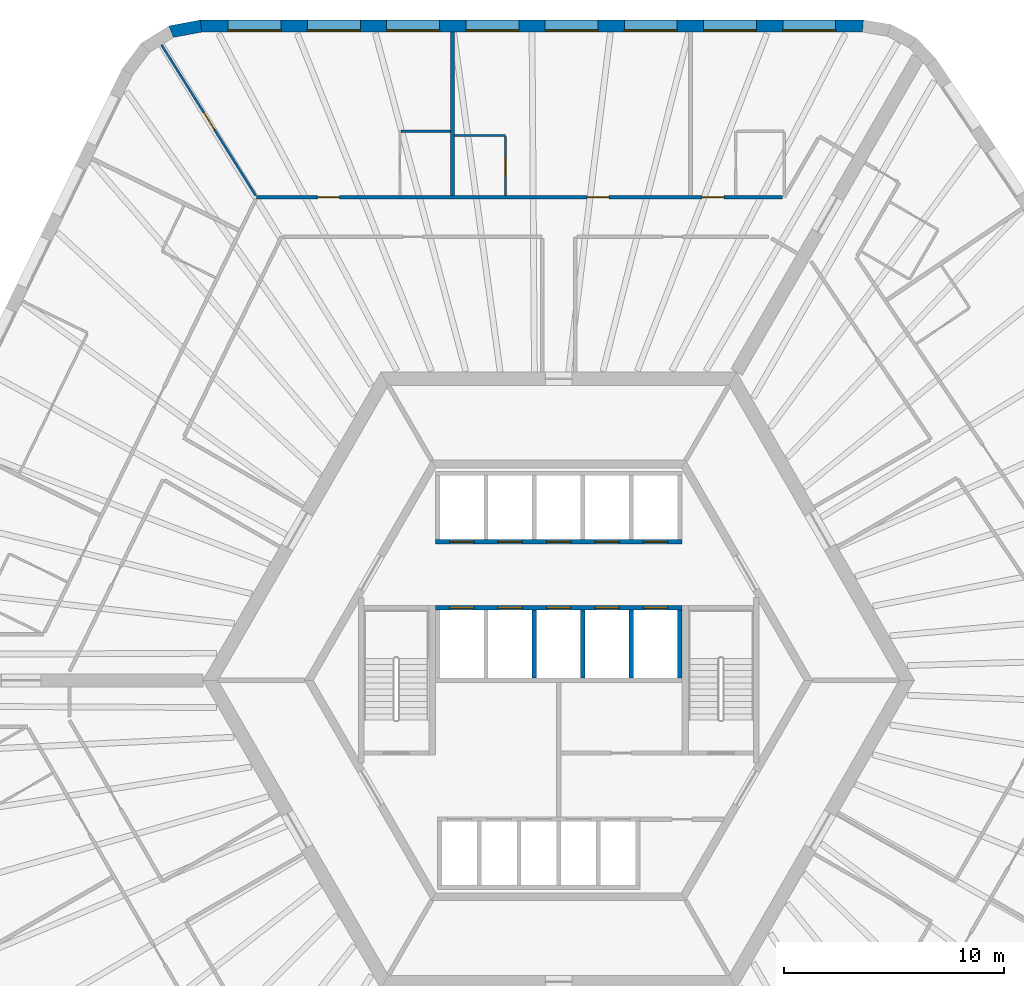
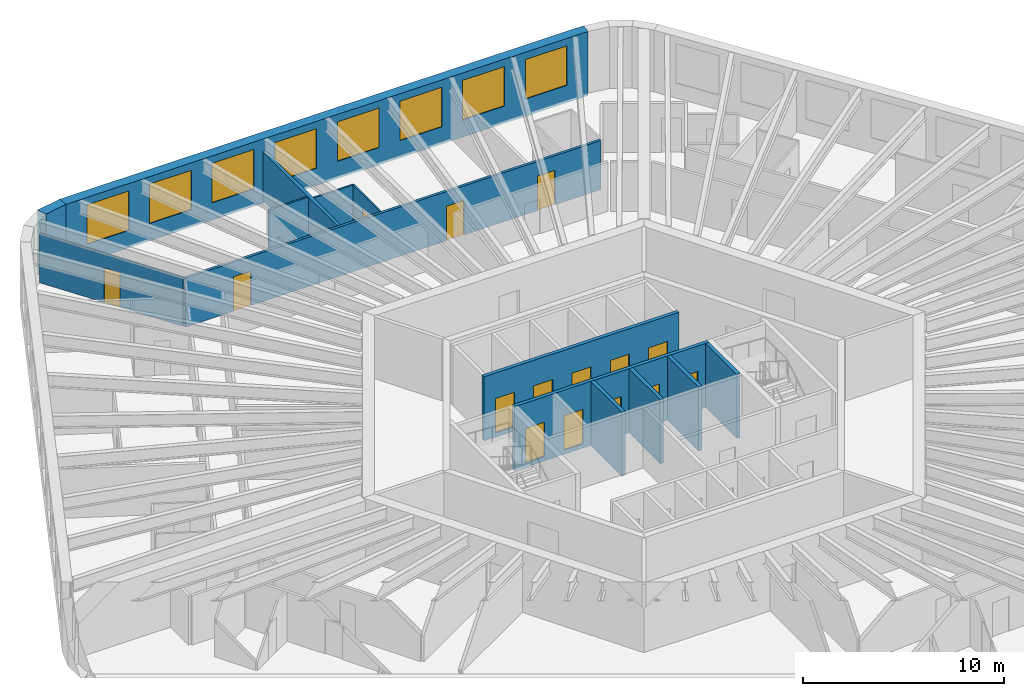
# One storey, part 8 of 11: 15 doors, 14 walls, 8 windows, 23 openings.
"""IFC4 building model written with IfcOpenShell, lengths in metres."""

from ifc_helpers import new_model, si_unit, direction, frame, frame_2d, origin, place, context, subcontext, project, spatial, polyline, rectangle, outline, extrude, material, layer, layer_set, type_object, element, fill, save


model = new_model("IFC4")

# Units and contexts
model_context = context("Model", 3, precision=1e-05, world=origin(), true_north=direction((0.0, 1.0)))
body_context = subcontext(model_context, "Body", "Model", "MODEL_VIEW")
ifc_project = project(units=[si_unit("LENGTHUNIT", "METRE"), si_unit("AREAUNIT", "SQUARE_METRE"), si_unit("VOLUMEUNIT", "CUBIC_METRE"), si_unit("PLANEANGLEUNIT", "RADIAN"), si_unit("MASSUNIT", "GRAM", prefix="KILO")], contexts=[model_context])

# Site, building, storey
site_placement = place(None, origin())
site = spatial("IfcSite", under=ifc_project, at=site_placement, CompositionType="ELEMENT")
building_placement = place(site_placement, origin())
building = spatial("IfcBuilding", under=site, at=building_placement, Name="Tarnside Tower", CompositionType="ELEMENT")
storey_placement = place(building_placement, frame((0.0, 0.0, 45.300048828125)))
storey = spatial("IfcBuildingStorey", under=building, at=storey_placement, Name="L08", CompositionType="ELEMENT", Elevation=45.300048828125)

# Wall
ifc_material_1 = material(Name="Gypsum board partition on steel studs", Category="steel")
ifc_layer_1 = layer(ifc_material_1, 0.10009765625)
ifc_layer_set_1 = layer_set([ifc_layer_1], Name="Bathroom wall 100")
wall_type_1 = type_object("IfcWallType", Name="Bathroom wall 100", PredefinedType="PARTITIONING", material=ifc_layer_set_1)
wall_1_placement = place(storey_placement, frame((-4.720947265625, 24.75, 0.0), z_axis=(0.0, 0.0, 1.0), x_axis=(1.0, 0.0, 0.0)))
element("IfcWall", 1, at=wall_1_placement, inside=storey, type_object=wall_type_1, Name="Bathroom wall 01081", PredefinedType="PARTITIONING", context=body_context, shape_type="SweptSolid", body=[
    extrude(rectangle(XDim=2.309814453125, YDim=0.10009765625, at=frame_2d((1.15478515625, 0.0))), origin(), (0.0, 0.0, 1.0), 2.98779296875),
])

# Wall, opening, door
wall_2_placement = place(storey_placement, frame((-2.4111328125, 24.699951171875, 0.0), z_axis=(0.0, 0.0, 1.0), x_axis=(0.0, -1.0, 0.0)))
wall_2 = element("IfcWall", 2, at=wall_2_placement, inside=storey, type_object=wall_type_1, Name="Bathroom wall 01082", PredefinedType="PARTITIONING", context=body_context, shape_type="SweptSolid", body=[
    extrude(rectangle(XDim=2.675048828125, YDim=0.10009765625, at=frame_2d((1.33740234375, 0.0))), origin(), (0.0, 0.0, 1.0), 2.98779296875),
])
opening_1_placement = place(wall_2_placement, frame((0.949951171875, 0.0, 0.0)))
opening_1 = element("IfcOpeningElement", 3, at=opening_1_placement, cuts=wall_2, Name="Opening D-B1", PredefinedType="OPENING", context=body_context, shape_type="SweptSolid", body=[
    extrude(rectangle(XDim=0.800048828125, YDim=2.10009765625, at=frame_2d((0.39990234375, 1.050048828125))), frame((0.0, 0.06005859375, 0.0), z_axis=(0.0, -1.0, 0.0), x_axis=(1.0, 0.0, 0.0)), (0.0, 0.0, 1.0), 0.1201171875),
])
ifc_material_2 = material(Name="Timber door leaf", Category="wood")
door_type_1 = type_object("IfcDoorType", Name="Bathroom door 800", OperationType="NOTDEFINED", PredefinedType="DOOR", material=ifc_material_2)
door_1_placement = place(opening_1_placement, origin())
door_1 = element("IfcDoor", 4, at=door_1_placement, inside=storey, type_object=door_type_1, Name="Bathroom door 01004", OperationType="SINGLE_SWING_RIGHT", OverallHeight=2.10009765625, OverallWidth=0.800048828125, PredefinedType="DOOR", context=body_context, shape_type="SweptSolid", body=[
    extrude(rectangle(XDim=0.800048828125, YDim=2.10009765625, at=frame_2d((0.39990234375, 1.050048828125))), frame((0.0, 0.02490234375, 0.0), z_axis=(0.0, -1.0, 0.0), x_axis=(1.0, 0.0, 0.0)), (0.0, 0.0, 1.0), 0.050048828125),
])
fill(opening_1, door_1)

# Wall
wall_3_placement = place(storey_placement, frame((-7.1611328125, 24.949951171875, 0.0), z_axis=(0.0, 0.0, 1.0), x_axis=(1.0, 0.0, 0.0)))
element("IfcWall", 5, at=wall_3_placement, inside=storey, type_object=wall_type_1, Name="Bathroom wall 01087", PredefinedType="PARTITIONING", context=body_context, shape_type="SweptSolid", body=[
    extrude(rectangle(XDim=2.260009765625, YDim=0.10009765625, at=frame_2d((1.1298828125, 0.0))), origin(), (0.0, 0.0, 1.0), 2.98779296875),
])

# Wall, openings, doors
ifc_layer_2 = layer(ifc_material_1, 0.14990234375)
ifc_layer_set_2 = layer_set([ifc_layer_2], Name="Corridor wall 150 EI 60")
wall_type_2 = type_object("IfcWallType", Name="Corridor wall 150 EI 60", PredefinedType="PARTITIONING", material=ifc_layer_set_2)
wall_4_placement = place(storey_placement, frame((10.161376953125, 21.949951171875, 0.0), z_axis=(0.0, 0.0, 1.0), x_axis=(-1.0, 0.0, 0.0)))
wall_4 = element("IfcWall", 6, at=wall_4_placement, inside=storey, type_object=wall_type_2, Name="Corridor wall 01001", PredefinedType="PARTITIONING", context=body_context, shape_type="SweptSolid", body=[
    extrude(rectangle(XDim=23.877197265625, YDim=0.14990234375, at=frame_2d((11.9384765625, 0.0))), origin(), (0.0, 0.0, 1.0), 2.98779296875),
])
opening_2_placement = place(wall_4_placement, frame((2.642822265625, 0.0, 0.0)))
opening_2 = element("IfcOpeningElement", 7, at=opening_2_placement, cuts=wall_4, Name="Opening D-E1", PredefinedType="OPENING", context=body_context, shape_type="SweptSolid", body=[
    extrude(rectangle(XDim=1.0, YDim=2.10009765625, at=frame_2d((0.5, 1.050048828125))), frame((0.0, 0.0849609375, 0.0), z_axis=(0.0, -1.0, 0.0), x_axis=(1.0, 0.0, 0.0)), (0.0, 0.0, 1.0), 0.169921875),
])
opening_3_placement = place(wall_4_placement, frame((7.872314453125, 0.0, 0.0)))
opening_3 = element("IfcOpeningElement", 8, at=opening_3_placement, cuts=wall_4, Name="Opening D-E1", PredefinedType="OPENING", context=body_context, shape_type="SweptSolid", body=[
    extrude(rectangle(XDim=1.0, YDim=2.10009765625, at=frame_2d((0.5, 1.050048828125))), frame((0.0, 0.0849609375, 0.0), z_axis=(0.0, -1.0, 0.0), x_axis=(1.0, 0.0, 0.0)), (0.0, 0.0, 1.0), 0.169921875),
])
opening_4_placement = place(wall_4_placement, frame((20.124755859375, 0.0, 0.0)))
opening_4 = element("IfcOpeningElement", 9, at=opening_4_placement, cuts=wall_4, Name="Opening D-E1", PredefinedType="OPENING", context=body_context, shape_type="SweptSolid", body=[
    extrude(rectangle(XDim=1.0, YDim=2.10009765625, at=frame_2d((0.5, 1.050048828125))), frame((0.0, 0.0849609375, 0.0), z_axis=(0.0, -1.0, 0.0), x_axis=(1.0, 0.0, 0.0)), (0.0, 0.0, 1.0), 0.169921875),
])
door_type_2 = type_object("IfcDoorType", Name="Unit entrance door 1000 FD30S", OperationType="NOTDEFINED", PredefinedType="DOOR", material=ifc_material_2)
door_2_placement = place(opening_2_placement, origin())
door_2 = element("IfcDoor", 10, at=door_2_placement, inside=storey, type_object=door_type_2, Name="Unit door 01001", OperationType="SINGLE_SWING_RIGHT", OverallHeight=2.10009765625, OverallWidth=1.0, PredefinedType="DOOR", context=body_context, shape_type="SweptSolid", body=[
    extrude(rectangle(XDim=1.0, YDim=2.10009765625, at=frame_2d((0.5, 1.050048828125))), frame((0.0, 0.02490234375, 0.0), z_axis=(0.0, -1.0, 0.0), x_axis=(1.0, 0.0, 0.0)), (0.0, 0.0, 1.0), 0.050048828125),
])
fill(opening_2, door_2)
door_3_placement = place(opening_3_placement, origin())
door_3 = element("IfcDoor", 11, at=door_3_placement, inside=storey, type_object=door_type_2, Name="Unit door 01003", OperationType="SINGLE_SWING_LEFT", OverallHeight=2.10009765625, OverallWidth=1.0, PredefinedType="DOOR", context=body_context, shape_type="SweptSolid", body=[
    extrude(rectangle(XDim=1.0, YDim=2.10009765625, at=frame_2d((0.5, 1.050048828125))), frame((0.0, 0.02490234375, 0.0), z_axis=(0.0, -1.0, 0.0), x_axis=(1.0, 0.0, 0.0)), (0.0, 0.0, 1.0), 0.050048828125),
])
fill(opening_3, door_3)
door_4_placement = place(opening_4_placement, origin())
door_4 = element("IfcDoor", 12, at=door_4_placement, inside=storey, type_object=door_type_2, Name="Unit door 01005", OperationType="SINGLE_SWING_RIGHT", OverallHeight=2.10009765625, OverallWidth=1.0, PredefinedType="DOOR", context=body_context, shape_type="SweptSolid", body=[
    extrude(rectangle(XDim=1.0, YDim=2.10009765625, at=frame_2d((0.5, 1.050048828125))), frame((0.0, 0.02490234375, 0.0), z_axis=(0.0, -1.0, 0.0), x_axis=(1.0, 0.0, 0.0)), (0.0, 0.0, 1.0), 0.050048828125),
])
fill(opening_4, door_4)

# Wall
ifc_layer_3 = layer(ifc_material_1, 0.179931640625)
ifc_layer_set_3 = layer_set([ifc_layer_3], Name="Demising wall 180 EI 60")
wall_type_3 = type_object("IfcWallType", Name="Demising wall 180 EI 60", PredefinedType="PARTITIONING", material=ifc_layer_set_3)
wall_5_placement = place(storey_placement, frame((-4.81103515625, 29.449951171875, 0.0), z_axis=(0.0, 0.0, 1.0), x_axis=(0.0, -1.0, 0.0)))
element("IfcWall", 13, at=wall_5_placement, inside=storey, type_object=wall_type_3, Name="Demising wall 01083", PredefinedType="PARTITIONING", context=body_context, shape_type="SweptSolid", body=[
    extrude(rectangle(XDim=7.425048828125, YDim=0.179931640625, at=frame_2d((3.71240234375, 0.0))), origin(), (0.0, 0.0, 1.0), 2.98779296875),
])

# Wall, openings, doors
ifc_material_3 = material(Name="Concrete C40/50", Category="concrete")
ifc_layer_4 = layer(ifc_material_3, 0.199951171875)
ifc_layer_set_4 = layer_set([ifc_layer_4], Name="Lift shaft wall 200 C40/50")
wall_type_4 = type_object("IfcWallType", Name="Lift shaft wall 200 C40/50", PredefinedType="SHEAR", material=ifc_layer_set_4)
wall_6_placement = place(storey_placement, frame((-5.60009765625, 6.300048828125, -0.25), z_axis=(0.0, 0.0, 1.0), x_axis=(1.0, 0.0, 0.0)))
wall_6 = element("IfcWall", 14, at=wall_6_placement, inside=storey, type_object=wall_type_4, Name="L08 lift shaft front wall R1", PredefinedType="SHEAR", context=body_context, shape_type="SweptSolid", body=[
    extrude(rectangle(XDim=11.2001953125, YDim=0.199951171875, at=frame_2d((5.60009765625, 0.0))), origin(), (0.0, 0.0, 1.0), 3.89990234375),
])
opening_5_placement = place(wall_6_placement, frame((0.64990234375, 0.0, 0.25)))
opening_5 = element("IfcOpeningElement", 15, at=opening_5_placement, cuts=wall_6, Name="Opening LD", PredefinedType="OPENING", context=body_context, shape_type="SweptSolid", body=[
    extrude(rectangle(XDim=1.10009765625, YDim=2.10009765625, at=frame_2d((0.550048828125, 1.050048828125))), frame((0.0, 0.10986328125, 0.0), z_axis=(0.0, -1.0, 0.0), x_axis=(1.0, 0.0, 0.0)), (0.0, 0.0, 1.0), 0.219970703125),
])
opening_6_placement = place(wall_6_placement, frame((2.85009765625, 0.0, 0.25)))
opening_6 = element("IfcOpeningElement", 16, at=opening_6_placement, cuts=wall_6, Name="Opening LD", PredefinedType="OPENING", context=body_context, shape_type="SweptSolid", body=[
    extrude(rectangle(XDim=1.10009765625, YDim=2.10009765625, at=frame_2d((0.550048828125, 1.050048828125))), frame((0.0, 0.10986328125, 0.0), z_axis=(0.0, -1.0, 0.0), x_axis=(1.0, 0.0, 0.0)), (0.0, 0.0, 1.0), 0.219970703125),
])
opening_7_placement = place(wall_6_placement, frame((5.050048828125, 0.0, 0.25)))
opening_7 = element("IfcOpeningElement", 17, at=opening_7_placement, cuts=wall_6, Name="Opening LD", PredefinedType="OPENING", context=body_context, shape_type="SweptSolid", body=[
    extrude(rectangle(XDim=1.10009765625, YDim=2.10009765625, at=frame_2d((0.550048828125, 1.050048828125))), frame((0.0, 0.10986328125, 0.0), z_axis=(0.0, -1.0, 0.0), x_axis=(1.0, 0.0, 0.0)), (0.0, 0.0, 1.0), 0.219970703125),
])
opening_8_placement = place(wall_6_placement, frame((7.25, 0.0, 0.25)))
opening_8 = element("IfcOpeningElement", 18, at=opening_8_placement, cuts=wall_6, Name="Opening LD", PredefinedType="OPENING", context=body_context, shape_type="SweptSolid", body=[
    extrude(rectangle(XDim=1.10009765625, YDim=2.10009765625, at=frame_2d((0.550048828125, 1.050048828125))), frame((0.0, 0.10986328125, 0.0), z_axis=(0.0, -1.0, 0.0), x_axis=(1.0, 0.0, 0.0)), (0.0, 0.0, 1.0), 0.219970703125),
])
opening_9_placement = place(wall_6_placement, frame((9.449951171875, 0.0, 0.25)))
opening_9 = element("IfcOpeningElement", 19, at=opening_9_placement, cuts=wall_6, Name="Opening LD", PredefinedType="OPENING", context=body_context, shape_type="SweptSolid", body=[
    extrude(rectangle(XDim=1.10009765625, YDim=2.10009765625, at=frame_2d((0.550048828125, 1.050048828125))), frame((0.0, 0.10986328125, 0.0), z_axis=(0.0, -1.0, 0.0), x_axis=(1.0, 0.0, 0.0)), (0.0, 0.0, 1.0), 0.219970703125),
])
ifc_material_4 = material(Name="Stainless steel", Category="steel")
door_type_3 = type_object("IfcDoorType", Name="Lift landing door 1100x2100", OperationType="NOTDEFINED", PredefinedType="DOOR", material=ifc_material_4)
door_5_placement = place(opening_5_placement, origin())
door_5 = element("IfcDoor", 20, at=door_5_placement, inside=storey, type_object=door_type_3, Name="Low-rise lift 1 landing door L08", OperationType="SLIDING_TO_LEFT", OverallHeight=2.10009765625, OverallWidth=1.10009765625, PredefinedType="DOOR", context=body_context, shape_type="SweptSolid", body=[
    extrude(rectangle(XDim=1.10009765625, YDim=2.10009765625, at=frame_2d((0.550048828125, 1.050048828125))), frame((0.0, 0.02490234375, 0.0), z_axis=(0.0, -1.0, 0.0), x_axis=(1.0, 0.0, 0.0)), (0.0, 0.0, 1.0), 0.050048828125),
])
fill(opening_5, door_5)
door_6_placement = place(opening_6_placement, origin())
door_6 = element("IfcDoor", 21, at=door_6_placement, inside=storey, type_object=door_type_3, Name="Low-rise lift 2 landing door L08", OperationType="SLIDING_TO_LEFT", OverallHeight=2.10009765625, OverallWidth=1.10009765625, PredefinedType="DOOR", context=body_context, shape_type="SweptSolid", body=[
    extrude(rectangle(XDim=1.10009765625, YDim=2.10009765625, at=frame_2d((0.550048828125, 1.050048828125))), frame((0.0, 0.02490234375, 0.0), z_axis=(0.0, -1.0, 0.0), x_axis=(1.0, 0.0, 0.0)), (0.0, 0.0, 1.0), 0.050048828125),
])
fill(opening_6, door_6)
door_7_placement = place(opening_7_placement, origin())
door_7 = element("IfcDoor", 22, at=door_7_placement, inside=storey, type_object=door_type_3, Name="Low-rise lift 3 landing door L08", OperationType="SLIDING_TO_LEFT", OverallHeight=2.10009765625, OverallWidth=1.10009765625, PredefinedType="DOOR", context=body_context, shape_type="SweptSolid", body=[
    extrude(rectangle(XDim=1.10009765625, YDim=2.10009765625, at=frame_2d((0.550048828125, 1.050048828125))), frame((0.0, 0.02490234375, 0.0), z_axis=(0.0, -1.0, 0.0), x_axis=(1.0, 0.0, 0.0)), (0.0, 0.0, 1.0), 0.050048828125),
])
fill(opening_7, door_7)
door_8_placement = place(opening_8_placement, origin())
door_8 = element("IfcDoor", 23, at=door_8_placement, inside=storey, type_object=door_type_3, Name="Low sky-lobby shuttle 1 landing door L08", OperationType="SLIDING_TO_LEFT", OverallHeight=2.10009765625, OverallWidth=1.10009765625, PredefinedType="DOOR", context=body_context, shape_type="SweptSolid", body=[
    extrude(rectangle(XDim=1.10009765625, YDim=2.10009765625, at=frame_2d((0.550048828125, 1.050048828125))), frame((0.0, 0.02490234375, 0.0), z_axis=(0.0, -1.0, 0.0), x_axis=(1.0, 0.0, 0.0)), (0.0, 0.0, 1.0), 0.050048828125),
])
fill(opening_8, door_8)
door_9_placement = place(opening_9_placement, origin())
door_9 = element("IfcDoor", 24, at=door_9_placement, inside=storey, type_object=door_type_3, Name="Low sky-lobby shuttle 2 landing door L08", OperationType="SLIDING_TO_LEFT", OverallHeight=2.10009765625, OverallWidth=1.10009765625, PredefinedType="DOOR", context=body_context, shape_type="SweptSolid", body=[
    extrude(rectangle(XDim=1.10009765625, YDim=2.10009765625, at=frame_2d((0.550048828125, 1.050048828125))), frame((0.0, 0.02490234375, 0.0), z_axis=(0.0, -1.0, 0.0), x_axis=(1.0, 0.0, 0.0)), (0.0, 0.0, 1.0), 0.050048828125),
])
fill(opening_9, door_9)

wall_7_placement = place(storey_placement, frame((-5.60009765625, 3.300048828125, -0.25), z_axis=(0.0, 0.0, 1.0), x_axis=(1.0, 0.0, 0.0)))
wall_7 = element("IfcWall", 25, at=wall_7_placement, inside=storey, type_object=wall_type_4, Name="L08 lift shaft front wall R2", PredefinedType="SHEAR", context=body_context, shape_type="SweptSolid", body=[
    extrude(rectangle(XDim=11.2001953125, YDim=0.199951171875, at=frame_2d((5.60009765625, 0.0))), origin(), (0.0, 0.0, 1.0), 3.89990234375),
])
opening_10_placement = place(wall_7_placement, frame((0.64990234375, 0.0, 0.25)))
opening_10 = element("IfcOpeningElement", 26, at=opening_10_placement, cuts=wall_7, Name="Opening LD", PredefinedType="OPENING", context=body_context, shape_type="SweptSolid", body=[
    extrude(rectangle(XDim=1.10009765625, YDim=2.10009765625, at=frame_2d((0.550048828125, 1.050048828125))), frame((0.0, 0.10986328125, 0.0), z_axis=(0.0, -1.0, 0.0), x_axis=(1.0, 0.0, 0.0)), (0.0, 0.0, 1.0), 0.219970703125),
])
opening_11_placement = place(wall_7_placement, frame((2.85009765625, 0.0, 0.25)))
opening_11 = element("IfcOpeningElement", 27, at=opening_11_placement, cuts=wall_7, Name="Opening LD", PredefinedType="OPENING", context=body_context, shape_type="SweptSolid", body=[
    extrude(rectangle(XDim=1.10009765625, YDim=2.10009765625, at=frame_2d((0.550048828125, 1.050048828125))), frame((0.0, 0.10986328125, 0.0), z_axis=(0.0, -1.0, 0.0), x_axis=(1.0, 0.0, 0.0)), (0.0, 0.0, 1.0), 0.219970703125),
])
opening_12_placement = place(wall_7_placement, frame((5.050048828125, 0.0, 0.25)))
opening_12 = element("IfcOpeningElement", 28, at=opening_12_placement, cuts=wall_7, Name="Opening LD", PredefinedType="OPENING", context=body_context, shape_type="SweptSolid", body=[
    extrude(rectangle(XDim=1.10009765625, YDim=2.10009765625, at=frame_2d((0.550048828125, 1.050048828125))), frame((0.0, 0.10986328125, 0.0), z_axis=(0.0, -1.0, 0.0), x_axis=(1.0, 0.0, 0.0)), (0.0, 0.0, 1.0), 0.219970703125),
])
opening_13_placement = place(wall_7_placement, frame((7.25, 0.0, 0.25)))
opening_13 = element("IfcOpeningElement", 29, at=opening_13_placement, cuts=wall_7, Name="Opening LD", PredefinedType="OPENING", context=body_context, shape_type="SweptSolid", body=[
    extrude(rectangle(XDim=1.10009765625, YDim=2.10009765625, at=frame_2d((0.550048828125, 1.050048828125))), frame((0.0, 0.10986328125, 0.0), z_axis=(0.0, -1.0, 0.0), x_axis=(1.0, 0.0, 0.0)), (0.0, 0.0, 1.0), 0.219970703125),
])
opening_14_placement = place(wall_7_placement, frame((9.449951171875, 0.0, 0.25)))
opening_14 = element("IfcOpeningElement", 30, at=opening_14_placement, cuts=wall_7, Name="Opening LD", PredefinedType="OPENING", context=body_context, shape_type="SweptSolid", body=[
    extrude(rectangle(XDim=1.10009765625, YDim=2.10009765625, at=frame_2d((0.550048828125, 1.050048828125))), frame((0.0, 0.10986328125, 0.0), z_axis=(0.0, -1.0, 0.0), x_axis=(1.0, 0.0, 0.0)), (0.0, 0.0, 1.0), 0.219970703125),
])
door_10_placement = place(opening_10_placement, origin())
door_10 = element("IfcDoor", 31, at=door_10_placement, inside=storey, type_object=door_type_3, Name="Low-rise lift 4 landing door L08", OperationType="SLIDING_TO_LEFT", OverallHeight=2.10009765625, OverallWidth=1.10009765625, PredefinedType="DOOR", context=body_context, shape_type="SweptSolid", body=[
    extrude(rectangle(XDim=1.10009765625, YDim=2.10009765625, at=frame_2d((0.550048828125, 1.050048828125))), frame((0.0, 0.02490234375, 0.0), z_axis=(0.0, -1.0, 0.0), x_axis=(1.0, 0.0, 0.0)), (0.0, 0.0, 1.0), 0.050048828125),
])
fill(opening_10, door_10)
door_11_placement = place(opening_11_placement, origin())
door_11 = element("IfcDoor", 32, at=door_11_placement, inside=storey, type_object=door_type_3, Name="Low-rise lift 5 landing door L08", OperationType="SLIDING_TO_LEFT", OverallHeight=2.10009765625, OverallWidth=1.10009765625, PredefinedType="DOOR", context=body_context, shape_type="SweptSolid", body=[
    extrude(rectangle(XDim=1.10009765625, YDim=2.10009765625, at=frame_2d((0.550048828125, 1.050048828125))), frame((0.0, 0.02490234375, 0.0), z_axis=(0.0, -1.0, 0.0), x_axis=(1.0, 0.0, 0.0)), (0.0, 0.0, 1.0), 0.050048828125),
])
fill(opening_11, door_11)
door_12_placement = place(opening_12_placement, origin())
door_12 = element("IfcDoor", 33, at=door_12_placement, inside=storey, type_object=door_type_3, Name="Low-rise lift 6 landing door L08", OperationType="SLIDING_TO_LEFT", OverallHeight=2.10009765625, OverallWidth=1.10009765625, PredefinedType="DOOR", context=body_context, shape_type="SweptSolid", body=[
    extrude(rectangle(XDim=1.10009765625, YDim=2.10009765625, at=frame_2d((0.550048828125, 1.050048828125))), frame((0.0, 0.02490234375, 0.0), z_axis=(0.0, -1.0, 0.0), x_axis=(1.0, 0.0, 0.0)), (0.0, 0.0, 1.0), 0.050048828125),
])
fill(opening_12, door_12)
door_13_placement = place(opening_13_placement, origin())
door_13 = element("IfcDoor", 34, at=door_13_placement, inside=storey, type_object=door_type_3, Name="High sky-lobby shuttle 1 landing door L08", OperationType="SLIDING_TO_LEFT", OverallHeight=2.10009765625, OverallWidth=1.10009765625, PredefinedType="DOOR", context=body_context, shape_type="SweptSolid", body=[
    extrude(rectangle(XDim=1.10009765625, YDim=2.10009765625, at=frame_2d((0.550048828125, 1.050048828125))), frame((0.0, 0.02490234375, 0.0), z_axis=(0.0, -1.0, 0.0), x_axis=(1.0, 0.0, 0.0)), (0.0, 0.0, 1.0), 0.050048828125),
])
fill(opening_13, door_13)
door_14_placement = place(opening_14_placement, origin())
door_14 = element("IfcDoor", 35, at=door_14_placement, inside=storey, type_object=door_type_3, Name="Express sky-lobby shuttle 2 landing door L08", OperationType="SLIDING_TO_LEFT", OverallHeight=2.10009765625, OverallWidth=1.10009765625, PredefinedType="DOOR", context=body_context, shape_type="SweptSolid", body=[
    extrude(rectangle(XDim=1.10009765625, YDim=2.10009765625, at=frame_2d((0.550048828125, 1.050048828125))), frame((0.0, 0.02490234375, 0.0), z_axis=(0.0, -1.0, 0.0), x_axis=(1.0, 0.0, 0.0)), (0.0, 0.0, 1.0), 0.050048828125),
])
fill(opening_14, door_14)

# Walls
for number, where, z_axis, x_axis, name in (
    (36, (-1.10009765625, 0.10009765625, -0.25), (0.0, 0.0, 1.0), (0.0, 1.0, 0.0), "L08 lift shaft partition R23"),
    (37, (1.10009765625, 0.10009765625, -0.25), (0.0, 0.0, 1.0), (0.0, 1.0, 0.0), "L08 lift shaft partition R24"),
    (38, (3.300048828125, 0.10009765625, -0.25), (0.0, 0.0, 1.0), (0.0, 1.0, 0.0), "L08 lift shaft partition R25"),
    (39, (5.5, 0.10009765625, -0.25), (0.0, 0.0, 1.0), (0.0, 1.0, 0.0), "L08 lift shaft partition R26"),
):
    element("IfcWall", number, at=place(storey_placement, frame(where, z_axis=z_axis, x_axis=x_axis)), inside=storey, type_object=wall_type_4, Name=name, PredefinedType="SHEAR", context=body_context, shape_type="SweptSolid", body=[
        extrude(rectangle(XDim=3.099853515625, YDim=0.199951171875, at=frame_2d((1.5498046875, 0.0))), origin(), (0.0, 0.0, 1.0), 3.89990234375),
    ])

# Wall, opening, door
ifc_layer_5 = layer(ifc_material_1, 0.10009765625)
ifc_layer_set_5 = layer_set([ifc_layer_5], Name="Partition 100")
wall_type_5 = type_object("IfcWallType", Name="Partition 100", PredefinedType="PARTITIONING", material=ifc_layer_set_5)
wall_8_placement = place(storey_placement, frame((-18.040771484375, 28.87109375, 0.0), z_axis=(0.0, 0.0, 1.0), x_axis=(0.529928260537, -0.848042474575, 0.0)))
wall_8 = element("IfcWall", 40, at=wall_8_placement, inside=storey, type_object=wall_type_5, Name="Partition wall 01088", PredefinedType="PARTITIONING", context=body_context, shape_type="SweptSolid", body=[
    extrude(rectangle(XDim=8.072998046875, YDim=0.10009765625, at=frame_2d((4.03662109375, 0.0))), origin(), (0.0, 0.0, 1.0), 2.98779296875),
])
opening_15_placement = place(wall_8_placement, frame((3.630615234375, 0.0, 0.0)))
opening_15 = element("IfcOpeningElement", 41, at=opening_15_placement, cuts=wall_8, Name="Opening D-I1", PredefinedType="OPENING", context=body_context, shape_type="SweptSolid", body=[
    extrude(rectangle(XDim=0.89990234375, YDim=2.10009765625, at=frame_2d((0.449951171875, 1.050048828125))), frame((0.0, 0.06005859375, 0.0), z_axis=(0.0, -1.0, 0.0), x_axis=(1.0, 0.0, 0.0)), (0.0, 0.0, 1.0), 0.1201171875),
])
door_type_4 = type_object("IfcDoorType", Name="Internal door 900", OperationType="NOTDEFINED", PredefinedType="DOOR", material=ifc_material_2)
door_15_placement = place(opening_15_placement, origin())
door_15 = element("IfcDoor", 42, at=door_15_placement, inside=storey, type_object=door_type_4, Name="Internal door 01007", OperationType="SINGLE_SWING_LEFT", OverallHeight=2.10009765625, OverallWidth=0.89990234375, PredefinedType="DOOR", context=body_context, shape_type="SweptSolid", body=[
    extrude(rectangle(XDim=0.89990234375, YDim=2.10009765625, at=frame_2d((0.449951171875, 1.050048828125))), frame((0.0, 0.02490234375, 0.0), z_axis=(0.0, -1.0, 0.0), x_axis=(1.0, 0.0, 0.0)), (0.0, 0.0, 1.0), 0.050048828125),
])
fill(opening_15, door_15)

# Wall, openings, windows
ifc_material_5 = material(Name="Facing brick", Category="masonry")
ifc_layer_6 = layer(ifc_material_5, 0.10205078125)
ifc_material_6 = material(Name="Concrete C60/75 precast", Category="concrete")
ifc_layer_7 = layer(ifc_material_6, 0.347900390625)
ifc_material_7 = material(Name="Mineral wool insulation")
ifc_layer_8 = layer(ifc_material_7, 0.10009765625)
ifc_layer_set_6 = layer_set([ifc_layer_6, ifc_layer_7, ifc_layer_8], Name="Tube wall 550 brick faced")
wall_type_6 = type_object("IfcWallType", Name="Tube wall 550 brick faced", PredefinedType="SOLIDWALL", material=ifc_layer_set_6)
wall_9_placement = place(storey_placement, frame((13.824462890625, 29.72509765625, -0.150146484375), z_axis=(0.0, 0.0, 1.0), x_axis=(-1.0, 0.0, 0.0)))
wall_9 = element("IfcWall", 43, at=wall_9_placement, inside=storey, type_object=wall_type_6, Name="Tube wall L08 F1 flush 00", PredefinedType="SOLIDWALL", context=body_context, shape_type="SweptSolid", body=[
    extrude(outline(polyline([(-0.0224609375, -0.27490234375), (30.0966796875, -0.27490234375), (30.04541015625, 0.27490234375), (0.0224609375, 0.27490234375), (-0.0224609375, -0.27490234375)])), origin(), (0.0, 0.0, 1.0), 3.900146484375),
])
opening_16_placement = place(wall_9_placement, frame((1.235595703125, 0.0, 1.050048828125)))
opening_16 = element("IfcOpeningElement", 44, at=opening_16_placement, cuts=wall_9, Name="Opening WH", PredefinedType="OPENING", context=body_context, shape_type="SweptSolid", body=[
    extrude(rectangle(XDim=2.39990234375, YDim=2.39990234375, at=frame_2d((1.199951171875, 1.199951171875))), frame((0.0, 0.28515625, 0.0), z_axis=(0.0, -1.0, 0.0), x_axis=(1.0, 0.0, 0.0)), (0.0, 0.0, 1.0), 0.570068359375),
])
opening_17_placement = place(wall_9_placement, frame((4.83544921875, 0.0, 1.050048828125)))
opening_17 = element("IfcOpeningElement", 45, at=opening_17_placement, cuts=wall_9, Name="Opening WH", PredefinedType="OPENING", context=body_context, shape_type="SweptSolid", body=[
    extrude(rectangle(XDim=2.39990234375, YDim=2.39990234375, at=frame_2d((1.199951171875, 1.199951171875))), frame((0.0, 0.28515625, 0.0), z_axis=(0.0, -1.0, 0.0), x_axis=(1.0, 0.0, 0.0)), (0.0, 0.0, 1.0), 0.570068359375),
])
opening_18_placement = place(wall_9_placement, frame((8.435546875, 0.0, 1.050048828125)))
opening_18 = element("IfcOpeningElement", 46, at=opening_18_placement, cuts=wall_9, Name="Opening WH", PredefinedType="OPENING", context=body_context, shape_type="SweptSolid", body=[
    extrude(rectangle(XDim=2.39990234375, YDim=2.39990234375, at=frame_2d((1.199951171875, 1.199951171875))), frame((0.0, 0.28515625, 0.0), z_axis=(0.0, -1.0, 0.0), x_axis=(1.0, 0.0, 0.0)), (0.0, 0.0, 1.0), 0.570068359375),
])
opening_19_placement = place(wall_9_placement, frame((12.035400390625, 0.0, 1.050048828125)))
opening_19 = element("IfcOpeningElement", 47, at=opening_19_placement, cuts=wall_9, Name="Opening WH", PredefinedType="OPENING", context=body_context, shape_type="SweptSolid", body=[
    extrude(rectangle(XDim=2.39990234375, YDim=2.39990234375, at=frame_2d((1.199951171875, 1.199951171875))), frame((0.0, 0.28515625, 0.0), z_axis=(0.0, -1.0, 0.0), x_axis=(1.0, 0.0, 0.0)), (0.0, 0.0, 1.0), 0.570068359375),
])
opening_20_placement = place(wall_9_placement, frame((15.635498046875, 0.0, 1.050048828125)))
opening_20 = element("IfcOpeningElement", 48, at=opening_20_placement, cuts=wall_9, Name="Opening WH", PredefinedType="OPENING", context=body_context, shape_type="SweptSolid", body=[
    extrude(rectangle(XDim=2.39990234375, YDim=2.39990234375, at=frame_2d((1.199951171875, 1.199951171875))), frame((0.0, 0.28515625, 0.0), z_axis=(0.0, -1.0, 0.0), x_axis=(1.0, 0.0, 0.0)), (0.0, 0.0, 1.0), 0.570068359375),
])
opening_21_placement = place(wall_9_placement, frame((19.235595703125, 0.0, 1.050048828125)))
opening_21 = element("IfcOpeningElement", 49, at=opening_21_placement, cuts=wall_9, Name="Opening WH", PredefinedType="OPENING", context=body_context, shape_type="SweptSolid", body=[
    extrude(rectangle(XDim=2.39990234375, YDim=2.39990234375, at=frame_2d((1.199951171875, 1.199951171875))), frame((0.0, 0.28515625, 0.0), z_axis=(0.0, -1.0, 0.0), x_axis=(1.0, 0.0, 0.0)), (0.0, 0.0, 1.0), 0.570068359375),
])
opening_22_placement = place(wall_9_placement, frame((22.83544921875, 0.0, 1.050048828125)))
opening_22 = element("IfcOpeningElement", 50, at=opening_22_placement, cuts=wall_9, Name="Opening WH", PredefinedType="OPENING", context=body_context, shape_type="SweptSolid", body=[
    extrude(rectangle(XDim=2.39990234375, YDim=2.39990234375, at=frame_2d((1.199951171875, 1.199951171875))), frame((0.0, 0.28515625, 0.0), z_axis=(0.0, -1.0, 0.0), x_axis=(1.0, 0.0, 0.0)), (0.0, 0.0, 1.0), 0.570068359375),
])
opening_23_placement = place(wall_9_placement, frame((26.435546875, 0.0, 1.050048828125)))
opening_23 = element("IfcOpeningElement", 51, at=opening_23_placement, cuts=wall_9, Name="Opening WH", PredefinedType="OPENING", context=body_context, shape_type="SweptSolid", body=[
    extrude(rectangle(XDim=2.39990234375, YDim=2.39990234375, at=frame_2d((1.199951171875, 1.199951171875))), frame((0.0, 0.28515625, 0.0), z_axis=(0.0, -1.0, 0.0), x_axis=(1.0, 0.0, 0.0)), (0.0, 0.0, 1.0), 0.570068359375),
])
ifc_material_8 = material(Name="Aluminium-framed double glazing", Category="aluminium")
window_type = type_object("IfcWindowType", Name="Hotel window 2400 x 2400", PartitioningType="DOUBLE_PANEL_VERTICAL", PredefinedType="WINDOW", material=ifc_material_8)
window_1_placement = place(opening_16_placement, frame((0.0, 0.205078125, 0.0)))
window_1 = element("IfcWindow", 52, at=window_1_placement, inside=storey, type_object=window_type, Name="E.WN.L08.F1.00", OverallHeight=2.39990234375, OverallWidth=2.39990234375, PartitioningType="DOUBLE_PANEL_VERTICAL", PredefinedType="WINDOW", context=body_context, shape_type="SweptSolid", body=[
    extrude(rectangle(XDim=2.39990234375, YDim=2.39990234375, at=frame_2d((1.199951171875, 1.199951171875))), frame((0.0, 0.030029296875, 0.0), z_axis=(0.0, -1.0, 0.0), x_axis=(1.0, 0.0, 0.0)), (0.0, 0.0, 1.0), 0.06005859375),
])
fill(opening_16, window_1)
window_2_placement = place(opening_17_placement, frame((0.0, 0.205078125, 0.0)))
window_2 = element("IfcWindow", 53, at=window_2_placement, inside=storey, type_object=window_type, Name="E.WN.L08.F1.01", OverallHeight=2.39990234375, OverallWidth=2.39990234375, PartitioningType="DOUBLE_PANEL_VERTICAL", PredefinedType="WINDOW", context=body_context, shape_type="SweptSolid", body=[
    extrude(rectangle(XDim=2.39990234375, YDim=2.39990234375, at=frame_2d((1.199951171875, 1.199951171875))), frame((0.0, 0.030029296875, 0.0), z_axis=(0.0, -1.0, 0.0), x_axis=(1.0, 0.0, 0.0)), (0.0, 0.0, 1.0), 0.06005859375),
])
fill(opening_17, window_2)
window_3_placement = place(opening_18_placement, frame((0.0, 0.205078125, 0.0)))
window_3 = element("IfcWindow", 54, at=window_3_placement, inside=storey, type_object=window_type, Name="E.WN.L08.F1.02", OverallHeight=2.39990234375, OverallWidth=2.39990234375, PartitioningType="DOUBLE_PANEL_VERTICAL", PredefinedType="WINDOW", context=body_context, shape_type="SweptSolid", body=[
    extrude(rectangle(XDim=2.39990234375, YDim=2.39990234375, at=frame_2d((1.199951171875, 1.199951171875))), frame((0.0, 0.030029296875, 0.0), z_axis=(0.0, -1.0, 0.0), x_axis=(1.0, 0.0, 0.0)), (0.0, 0.0, 1.0), 0.06005859375),
])
fill(opening_18, window_3)
window_4_placement = place(opening_19_placement, frame((0.0, 0.205078125, 0.0)))
window_4 = element("IfcWindow", 55, at=window_4_placement, inside=storey, type_object=window_type, Name="E.WN.L08.F1.03", OverallHeight=2.39990234375, OverallWidth=2.39990234375, PartitioningType="DOUBLE_PANEL_VERTICAL", PredefinedType="WINDOW", context=body_context, shape_type="SweptSolid", body=[
    extrude(rectangle(XDim=2.39990234375, YDim=2.39990234375, at=frame_2d((1.199951171875, 1.199951171875))), frame((0.0, 0.030029296875, 0.0), z_axis=(0.0, -1.0, 0.0), x_axis=(1.0, 0.0, 0.0)), (0.0, 0.0, 1.0), 0.06005859375),
])
fill(opening_19, window_4)
window_5_placement = place(opening_20_placement, frame((0.0, 0.205078125, 0.0)))
window_5 = element("IfcWindow", 56, at=window_5_placement, inside=storey, type_object=window_type, Name="E.WN.L08.F1.04", OverallHeight=2.39990234375, OverallWidth=2.39990234375, PartitioningType="DOUBLE_PANEL_VERTICAL", PredefinedType="WINDOW", context=body_context, shape_type="SweptSolid", body=[
    extrude(rectangle(XDim=2.39990234375, YDim=2.39990234375, at=frame_2d((1.199951171875, 1.199951171875))), frame((0.0, 0.030029296875, 0.0), z_axis=(0.0, -1.0, 0.0), x_axis=(1.0, 0.0, 0.0)), (0.0, 0.0, 1.0), 0.06005859375),
])
fill(opening_20, window_5)
window_6_placement = place(opening_21_placement, frame((0.0, 0.205078125, 0.0)))
window_6 = element("IfcWindow", 57, at=window_6_placement, inside=storey, type_object=window_type, Name="E.WN.L08.F1.05", OverallHeight=2.39990234375, OverallWidth=2.39990234375, PartitioningType="DOUBLE_PANEL_VERTICAL", PredefinedType="WINDOW", context=body_context, shape_type="SweptSolid", body=[
    extrude(rectangle(XDim=2.39990234375, YDim=2.39990234375, at=frame_2d((1.199951171875, 1.199951171875))), frame((0.0, 0.030029296875, 0.0), z_axis=(0.0, -1.0, 0.0), x_axis=(1.0, 0.0, 0.0)), (0.0, 0.0, 1.0), 0.06005859375),
])
fill(opening_21, window_6)
window_7_placement = place(opening_22_placement, frame((0.0, 0.205078125, 0.0)))
window_7 = element("IfcWindow", 58, at=window_7_placement, inside=storey, type_object=window_type, Name="E.WN.L08.F1.06", OverallHeight=2.39990234375, OverallWidth=2.39990234375, PartitioningType="DOUBLE_PANEL_VERTICAL", PredefinedType="WINDOW", context=body_context, shape_type="SweptSolid", body=[
    extrude(rectangle(XDim=2.39990234375, YDim=2.39990234375, at=frame_2d((1.199951171875, 1.199951171875))), frame((0.0, 0.030029296875, 0.0), z_axis=(0.0, -1.0, 0.0), x_axis=(1.0, 0.0, 0.0)), (0.0, 0.0, 1.0), 0.06005859375),
])
fill(opening_22, window_7)
window_8_placement = place(opening_23_placement, frame((0.0, 0.205078125, 0.0)))
window_8 = element("IfcWindow", 59, at=window_8_placement, inside=storey, type_object=window_type, Name="E.WN.L08.F1.07", OverallHeight=2.39990234375, OverallWidth=2.39990234375, PartitioningType="DOUBLE_PANEL_VERTICAL", PredefinedType="WINDOW", context=body_context, shape_type="SweptSolid", body=[
    extrude(rectangle(XDim=2.39990234375, YDim=2.39990234375, at=frame_2d((1.199951171875, 1.199951171875))), frame((0.0, 0.030029296875, 0.0), z_axis=(0.0, -1.0, 0.0), x_axis=(1.0, 0.0, 0.0)), (0.0, 0.0, 1.0), 0.06005859375),
])
fill(opening_23, window_8)

# Wall
wall_10_placement = place(storey_placement, frame((-16.24658203125, 29.72509765625, -0.150146484375), z_axis=(0.0, 0.0, 1.0), x_axis=(-0.982705443133, -0.185175624845, 0.0)))
element("IfcWall", 60, at=wall_10_placement, inside=storey, type_object=wall_type_6, Name="Tube wall L08 F1 chord 01", PredefinedType="SOLIDWALL", context=body_context, shape_type="SweptSolid", body=[
    extrude(outline(polyline([(-0.025634765625, -0.27490234375), (1.430908203125, -0.27490234375), (1.327392578125, 0.27490234375), (0.025634765625, 0.27490234375), (-0.025634765625, -0.27490234375)])), origin(), (0.0, 0.0, 1.0), 3.900146484375),
])

save(model, "model.ifc")
